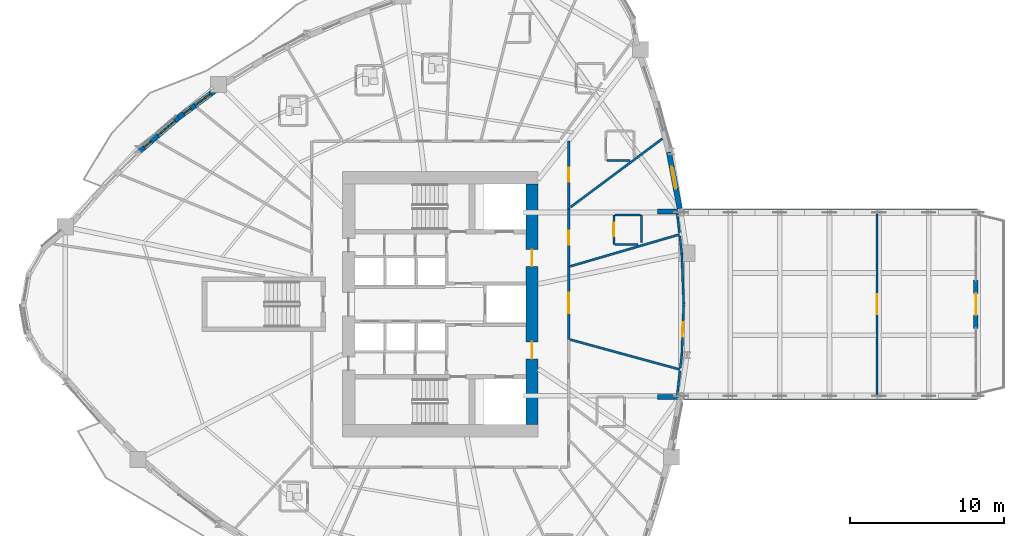
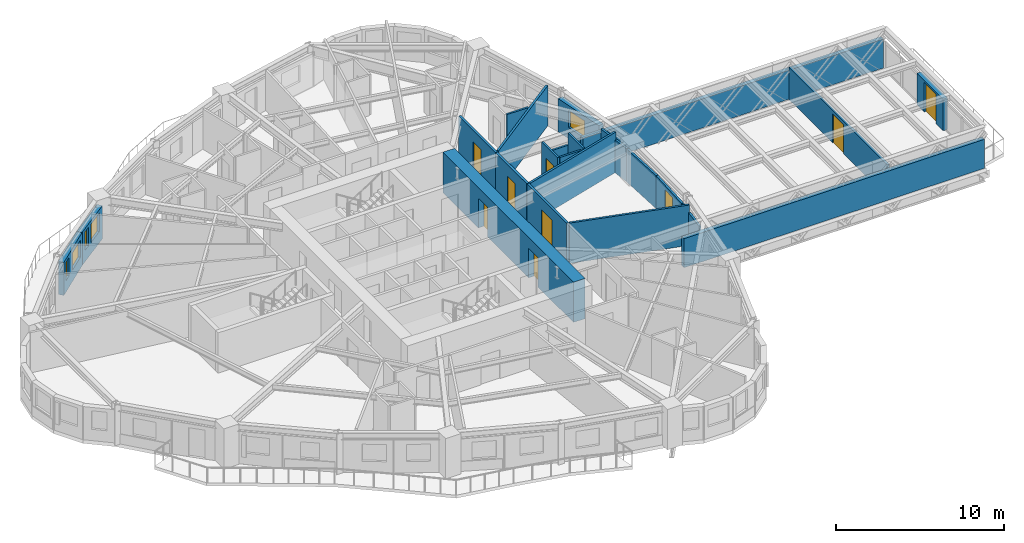
# One storey, part 10 of 18: 25 walls, 9 doors, 5 windows, 14 openings.
"""IFC4 building model written with IfcOpenShell, lengths in metres."""

from ifc_helpers import new_model, si_unit, direction, frame, frame_2d, origin, place, context, subcontext, project, spatial, rectangle, extrude, source, transform, mapped, material, layer, layer_set, type_object, element, fill, save


model = new_model("IFC4")

# Units and contexts
model_context = context("Model", 3, precision=1e-05, world=origin(), true_north=direction((0.0, 1.0)))
body_context = subcontext(model_context, "Body", "Model", "MODEL_VIEW")
ifc_project = project(units=[si_unit("LENGTHUNIT", "METRE"), si_unit("AREAUNIT", "SQUARE_METRE"), si_unit("VOLUMEUNIT", "CUBIC_METRE"), si_unit("PLANEANGLEUNIT", "RADIAN"), si_unit("MASSUNIT", "GRAM", prefix="KILO")], contexts=[model_context])

# Site, building, storey
site_placement = place(None, origin())
site = spatial("IfcSite", under=ifc_project, at=site_placement, CompositionType="ELEMENT")
building_placement = place(site_placement, origin())
building = spatial("IfcBuilding", under=site, at=building_placement, Name="Qafzar Sky-Pleat Residences", CompositionType="ELEMENT")
storey_placement = place(building_placement, frame((0.0, 0.0, 27.0)))
storey = spatial("IfcBuildingStorey", under=building, at=storey_placement, Name="L07", CompositionType="ELEMENT", Elevation=27.0)

# Wall, opening, door
ifc_material_1 = material(Name="Acoustic gypsum plasterboard partition", Category="gypsum")
ifc_layer_1 = layer(ifc_material_1, 0.159912109375)
ifc_layer_set_1 = layer_set([ifc_layer_1], Name="Acoustic gypsum plasterboard partition")
wall_type_1 = type_object("IfcWallType", Name="PART-COR-160", PredefinedType="PARTITIONING", material=ifc_layer_set_1)
wall_1_placement = place(storey_placement, frame((38.679931640625, 28.445068359375, 0.0), z_axis=(0.0, 0.0, 1.0), x_axis=(0.0, -1.0, 0.0)))
wall_1 = element("IfcWall", 1, at=wall_1_placement, inside=storey, type_object=wall_type_1, Name="L07 Partition Wall PART-L07-PW-004", PredefinedType="PARTITIONING", context=body_context, shape_type="SweptSolid", body=[
    extrude(rectangle(XDim=4.73095703125, YDim=0.159912109375, at=frame_2d((2.365478515625, 0.0))), origin(), (0.0, 0.0, 1.0), 2.93505859375),
])
opening_1_placement = place(wall_1_placement, frame((1.715576171875, 0.0, 0.0)))
opening_1 = element("IfcOpeningElement", 2, at=opening_1_placement, cuts=wall_1, Name="Opening ID-05", PredefinedType="OPENING", context=body_context, shape_type="SweptSolid", body=[
    extrude(rectangle(XDim=1.300048828125, YDim=2.10009765625, at=frame_2d((0.64990234375, 1.050048828125))), frame((0.0, 0.08984375, 0.0), z_axis=(0.0, -1.0, 0.0), x_axis=(1.0, 0.0, 0.0)), (0.0, 0.0, 1.0), 0.179931640625),
])
ifc_material_2 = material(Name="Timber-faced fire door", Category="wood")
door_type_1 = type_object("IfcDoorType", Name="DR-LNG-1300", OperationType="DOUBLE_DOOR_SINGLE_SWING", PredefinedType="DOOR", material=ifc_material_2)
shared_shape_1 = source(origin(), body_context, "Body", "SweptSolid", [
    extrude(rectangle(XDim=1.300048828125, YDim=2.10009765625, at=frame_2d((0.64990234375, 1.050048828125))), frame((0.0, 0.02490234375, 0.0), z_axis=(0.0, -1.0, 0.0), x_axis=(1.0, 0.0, 0.0)), (0.0, 0.0, 1.0), 0.050048828125),
])
door_1_placement = place(opening_1_placement, origin())
door_1 = element("IfcDoor", 3, at=door_1_placement, inside=storey, type_object=door_type_1, Name="L07 Co-Living Lounge Door", OperationType="DOUBLE_DOOR_SINGLE_SWING", OverallHeight=2.10009765625, OverallWidth=1.300048828125, PredefinedType="DOOR", context=body_context, shape_type="MappedRepresentation", body=[
    mapped(shared_shape_1, transform((0.0, 0.0, 0.0), x_axis=(1.0, 0.0, 0.0), y_axis=(0.0, 1.0, 0.0), z_axis=(0.0, 0.0, 1.0), scale=1.0)),
])
fill(opening_1, door_1)

wall_2_placement = place(storey_placement, frame((38.679931640625, 36.580078125, 0.0), z_axis=(0.0, 0.0, 1.0), x_axis=(0.0, -1.0, 0.0)))
wall_2 = element("IfcWall", 4, at=wall_2_placement, inside=storey, type_object=wall_type_1, Name="L07 Partition Wall PART-L07-PW-005", PredefinedType="PARTITIONING", context=body_context, shape_type="SweptSolid", body=[
    extrude(rectangle(XDim=4.39013671875, YDim=0.159912109375, at=frame_2d((2.195068359375, 0.0))), origin(), (0.0, 0.0, 1.0), 2.93505859375),
])
opening_2_placement = place(wall_2_placement, frame((1.7255859375, 0.0, 0.0)))
opening_2 = element("IfcOpeningElement", 5, at=opening_2_placement, cuts=wall_2, Name="Opening ID-04", PredefinedType="OPENING", context=body_context, shape_type="SweptSolid", body=[
    extrude(rectangle(XDim=0.919921875, YDim=2.10009765625, at=frame_2d((0.4599609375, 1.050048828125))), frame((0.0, 0.08984375, 0.0), z_axis=(0.0, -1.0, 0.0), x_axis=(1.0, 0.0, 0.0)), (0.0, 0.0, 1.0), 0.179931640625),
])
door_type_2 = type_object("IfcDoorType", Name="DR-BED-920", OperationType="NOTDEFINED", PredefinedType="DOOR", material=ifc_material_2)
shared_shape_2 = source(origin(), body_context, "Body", "SweptSolid", [
    extrude(rectangle(XDim=0.919921875, YDim=2.10009765625, at=frame_2d((0.4599609375, 1.050048828125))), frame((0.0, 0.02490234375, 0.0), z_axis=(0.0, -1.0, 0.0), x_axis=(1.0, 0.0, 0.0)), (0.0, 0.0, 1.0), 0.050048828125),
])
door_2_placement = place(opening_2_placement, origin())
door_2 = element("IfcDoor", 6, at=door_2_placement, inside=storey, type_object=door_type_2, Name="L07 Co-Living Bedroom 10 Door", OperationType="SINGLE_SWING_RIGHT", OverallHeight=2.10009765625, OverallWidth=0.919921875, PredefinedType="DOOR", context=body_context, shape_type="MappedRepresentation", body=[
    mapped(shared_shape_2, transform((0.0, 0.0, 0.0), x_axis=(1.0, 0.0, 0.0), y_axis=(0.0, 1.0, 0.0), z_axis=(0.0, 0.0, 1.0), scale=1.0)),
])
fill(opening_2, door_2)

wall_3_placement = place(storey_placement, frame((38.679931640625, 32.175048828125, 0.0), z_axis=(0.0, 0.0, 1.0), x_axis=(0.0, -1.0, 0.0)))
wall_3 = element("IfcWall", 7, at=wall_3_placement, inside=storey, type_object=wall_type_1, Name="L07 Partition Wall PART-L07-PW-010", PredefinedType="PARTITIONING", context=body_context, shape_type="SweptSolid", body=[
    extrude(rectangle(XDim=3.715087890625, YDim=0.159912109375, at=frame_2d((1.857421875, 0.0))), origin(), (0.0, 0.0, 1.0), 2.93505859375),
])
opening_3_placement = place(wall_3_placement, frame((1.39599609375, 0.0, 0.0)))
opening_3 = element("IfcOpeningElement", 8, at=opening_3_placement, cuts=wall_3, Name="Opening ID-04", PredefinedType="OPENING", context=body_context, shape_type="SweptSolid", body=[
    extrude(rectangle(XDim=0.919921875, YDim=2.10009765625, at=frame_2d((0.4599609375, 1.050048828125))), frame((0.0, 0.08984375, 0.0), z_axis=(0.0, -1.0, 0.0), x_axis=(1.0, 0.0, 0.0)), (0.0, 0.0, 1.0), 0.179931640625),
])
door_3_placement = place(opening_3_placement, origin())
door_3 = element("IfcDoor", 9, at=door_3_placement, inside=storey, type_object=door_type_2, Name="L07 Co-Living Bedroom 9 Door", OperationType="SINGLE_SWING_RIGHT", OverallHeight=2.10009765625, OverallWidth=0.919921875, PredefinedType="DOOR", context=body_context, shape_type="MappedRepresentation", body=[
    mapped(shared_shape_2, transform((0.0, 0.0, 0.0), x_axis=(1.0, 0.0, 0.0), y_axis=(0.0, 1.0, 0.0), z_axis=(0.0, 0.0, 1.0), scale=1.0)),
])
fill(opening_3, door_3)

ifc_layer_2 = layer(ifc_material_1, 0.14501953125)
ifc_layer_set_2 = layer_set([ifc_layer_2], Name="Acoustic gypsum plasterboard partition")
wall_type_2 = type_object("IfcWallType", Name="PART-UNIT-145", PredefinedType="PARTITIONING", material=ifc_layer_set_2)
wall_4_placement = place(storey_placement, frame((58.69091796875, 31.862060546875, 0.0), z_axis=(0.0, 0.0, 1.0), x_axis=(0.0, -1.0, 0.0)))
wall_4 = element("IfcWall", 10, at=wall_4_placement, inside=storey, type_object=wall_type_2, Name="L07 Partition Wall PART-L07-PW-001", PredefinedType="PARTITIONING", context=body_context, shape_type="SweptSolid", body=[
    extrude(rectangle(XDim=11.72412109375, YDim=0.14501953125, at=frame_2d((5.862060546875, 0.0))), origin(), (0.0, 0.0, 1.0), 2.35302734375),
])
opening_4_placement = place(wall_4_placement, frame((5.2119140625, 0.0, 0.0)))
opening_4 = element("IfcOpeningElement", 11, at=opening_4_placement, cuts=wall_4, Name="Opening ID-05", PredefinedType="OPENING", context=body_context, shape_type="SweptSolid", body=[
    extrude(rectangle(XDim=1.300048828125, YDim=2.10009765625, at=frame_2d((0.64990234375, 1.050048828125))), frame((0.0, 0.08251953125, 0.0), z_axis=(0.0, -1.0, 0.0), x_axis=(1.0, 0.0, 0.0)), (0.0, 0.0, 1.0), 0.1650390625),
])
door_4_placement = place(opening_4_placement, origin())
door_4 = element("IfcDoor", 12, at=door_4_placement, inside=storey, type_object=door_type_1, Name="L07 Panorama Sky Lounge Door", OperationType="DOUBLE_DOOR_SINGLE_SWING", OverallHeight=2.10009765625, OverallWidth=1.300048828125, PredefinedType="DOOR", context=body_context, shape_type="MappedRepresentation", body=[
    mapped(shared_shape_1, transform((0.0, 0.0, 0.0), x_axis=(1.0, 0.0, 0.0), y_axis=(0.0, 1.0, 0.0), z_axis=(0.0, 0.0, 1.0), scale=1.0)),
])
fill(opening_4, door_4)

wall_5_placement = place(storey_placement, frame((46.1455078125, 25.985107421875, 0.0), z_axis=(0.0, 0.0, 1.0), x_axis=(-0.038094618751, -0.999274136572, 0.0)))
wall_5 = element("IfcWall", 13, at=wall_5_placement, inside=storey, type_object=wall_type_2, Name="L07 Partition Wall PART-L07-PW-012", PredefinedType="PARTITIONING", context=body_context, shape_type="SweptSolid", body=[
    extrude(rectangle(XDim=3.2685546875, YDim=0.14501953125, at=frame_2d((1.63427734375, 0.0))), origin(), (0.0, 0.0, 1.0), 2.403076171875),
])
opening_5_placement = place(wall_5_placement, frame((1.146728515625, 0.0, 0.0)))
opening_5 = element("IfcOpeningElement", 14, at=opening_5_placement, cuts=wall_5, Name="Opening ID-06", PredefinedType="OPENING", context=body_context, shape_type="SweptSolid", body=[
    extrude(rectangle(XDim=0.9599609375, YDim=2.10009765625, at=frame_2d((0.47998046875, 1.050048828125))), frame((0.0, 0.08251953125, 0.0), z_axis=(0.0, -1.0, 0.0), x_axis=(1.0, 0.0, 0.0)), (0.0, 0.0, 1.0), 0.1650390625),
])
door_type_3 = type_object("IfcDoorType", Name="DR-STD-960", OperationType="NOTDEFINED", PredefinedType="DOOR", material=ifc_material_2)
shared_shape_3 = source(origin(), body_context, "Body", "SweptSolid", [
    extrude(rectangle(XDim=0.9599609375, YDim=2.10009765625, at=frame_2d((0.47998046875, 1.050048828125))), frame((0.0, 0.02490234375, 0.0), z_axis=(0.0, -1.0, 0.0), x_axis=(1.0, 0.0, 0.0)), (0.0, 0.0, 1.0), 0.050048828125),
])
door_5_placement = place(opening_5_placement, origin())
door_5 = element("IfcDoor", 15, at=door_5_placement, inside=storey, type_object=door_type_3, Name="L07 Sky-Bar Reading Library Door", OperationType="SINGLE_SWING_RIGHT", OverallHeight=2.10009765625, OverallWidth=0.9599609375, PredefinedType="DOOR", context=body_context, shape_type="MappedRepresentation", body=[
    mapped(shared_shape_3, transform((0.0, 0.0, 0.0), x_axis=(1.0, 0.0, 0.0), y_axis=(0.0, 1.0, 0.0), z_axis=(0.0, 0.0, 1.0), scale=1.0)),
])
fill(opening_5, door_5)

# Walls
wall_6_placement = place(storey_placement, frame((38.809814453125, 32.3056640625, 0.0), z_axis=(0.0, 0.0, 1.0), x_axis=(0.801799720797, 0.597592844443, 0.0)))
element("IfcWall", 16, at=wall_6_placement, inside=storey, type_object=wall_type_2, Name="L07 Partition Wall PART-L07-PW-041", PredefinedType="PARTITIONING", context=body_context, shape_type="SweptSolid", body=[
    extrude(rectangle(XDim=7.42431640625, YDim=0.14501953125, at=frame_2d((3.712158203125, 0.0))), origin(), (0.0, 0.0, 1.0), 2.93505859375),
])
wall_7_placement = place(storey_placement, frame((38.7880859375, 28.46044921875, 0.0), z_axis=(0.0, 0.0, 1.0), x_axis=(0.959983709987, 0.280055845432, 0.0)))
element("IfcWall", 17, at=wall_7_placement, inside=storey, type_object=wall_type_2, Name="L07 Partition Wall PART-L07-PW-042", PredefinedType="PARTITIONING", context=body_context, shape_type="SweptSolid", body=[
    extrude(rectangle(XDim=7.386474609375, YDim=0.14501953125, at=frame_2d((3.693359375, 0.0))), origin(), (0.0, 0.0, 1.0), 2.93505859375),
])
wall_8_placement = place(storey_placement, frame((38.786865234375, 23.700927734375, 0.0), z_axis=(0.0, 0.0, 1.0), x_axis=(0.964810342249, -0.262946769308, 0.0)))
element("IfcWall", 18, at=wall_8_placement, inside=storey, type_object=wall_type_2, Name="L07 Partition Wall PART-L07-PW-043", PredefinedType="PARTITIONING", context=body_context, shape_type="SweptSolid", body=[
    extrude(rectangle(XDim=7.385009765625, YDim=0.14501953125, at=frame_2d((3.6923828125, 0.0))), origin(), (0.0, 0.0, 1.0), 2.93505859375),
])
wall_9_placement = place(storey_placement, frame((46.02099609375, 29.281005859375, 0.0), z_axis=(0.0, 0.0, 1.0), x_axis=(0.038070453861, -0.999275057501, 0.0)))
element("IfcWall", 19, at=wall_9_placement, inside=storey, type_object=wall_type_2, Name="L07 Partition Wall PART-L07-PW-056", PredefinedType="PARTITIONING", context=body_context, shape_type="SweptSolid", body=[
    extrude(rectangle(XDim=3.283447265625, YDim=0.14501953125, at=frame_2d((1.6416015625, 0.0))), origin(), (0.0, 0.0, 1.0), 2.403076171875),
])
wall_10_placement = place(storey_placement, frame((45.728515625, 20.14599609375, 0.0), z_axis=(0.0, 0.0, 1.0), x_axis=(0.113074294354, 0.993586535716, 0.0)))
element("IfcWall", 20, at=wall_10_placement, inside=storey, type_object=wall_type_2, Name="L07 Partition Wall PART-L07-PW-087", PredefinedType="PARTITIONING", context=body_context, shape_type="SweptSolid", body=[
    extrude(rectangle(XDim=1.53076171875, YDim=0.14501953125, at=frame_2d((0.765380859375, 0.0))), origin(), (0.0, 0.0, 1.0), 2.403076171875),
])
wall_11_placement = place(storey_placement, frame((45.8896484375, 30.435546875, 0.0), z_axis=(0.0, 0.0, 1.0), x_axis=(0.113024308153, -0.993592223081, 0.0)))
element("IfcWall", 21, at=wall_11_placement, inside=storey, type_object=wall_type_2, Name="L07 Partition Wall PART-L07-PW-089", PredefinedType="PARTITIONING", context=body_context, shape_type="SweptSolid", body=[
    extrude(rectangle(XDim=1.14697265625, YDim=0.14501953125, at=frame_2d((0.573486328125, 0.0))), origin(), (0.0, 0.0, 1.0), 2.403076171875),
])
wall_12_placement = place(storey_placement, frame((45.728515625, 31.85400390625, 0.0), z_axis=(0.0, 0.0, 1.0), x_axis=(0.112860473391, -0.993610846129, 0.0)))
element("IfcWall", 22, at=wall_12_placement, inside=storey, type_object=wall_type_2, Name="L07 Partition Wall PART-L07-PW-090", PredefinedType="PARTITIONING", context=body_context, shape_type="SweptSolid", body=[
    extrude(rectangle(XDim=1.224365234375, YDim=0.14501953125, at=frame_2d((0.6123046875, 0.0))), origin(), (0.0, 0.0, 1.0), 2.403076171875),
])
wall_13_placement = place(storey_placement, frame((45.924072265625, 21.86572265625, 0.0), z_axis=(0.0, 0.0, 1.0), x_axis=(0.112844765803, 0.993612630169, 0.0)))
element("IfcWall", 23, at=wall_13_placement, inside=storey, type_object=wall_type_2, Name="L07 Partition Wall PART-L07-PW-096", PredefinedType="PARTITIONING", context=body_context, shape_type="SweptSolid", body=[
    extrude(rectangle(XDim=0.84375, YDim=0.14501953125, at=frame_2d((0.421875, 0.0))), origin(), (0.0, 0.0, 1.0), 2.403076171875),
])

# Wall, opening, door
ifc_material_3 = material(Name="Moisture-resistant gypsum partition", Category="gypsum")
ifc_layer_3 = layer(ifc_material_3, 0.1298828125)
ifc_layer_set_3 = layer_set([ifc_layer_3], Name="Moisture-resistant gypsum partition")
wall_type_3 = type_object("IfcWallType", Name="PART-WET-130", PredefinedType="PARTITIONING", material=ifc_layer_set_3)
wall_14_placement = place(storey_placement, frame((41.611083984375, 31.7880859375, 0.0), z_axis=(0.0, 0.0, 1.0), x_axis=(0.0, -1.0, 0.0)))
wall_14 = element("IfcWall", 24, at=wall_14_placement, inside=storey, type_object=wall_type_3, Name="L07 Partition Wall PART-L07-PW-026", PredefinedType="PARTITIONING", context=body_context, shape_type="SweptSolid", body=[
    extrude(rectangle(XDim=1.900146484375, YDim=0.1298828125, at=frame_2d((0.9501953125, 0.0))), origin(), (0.0, 0.0, 1.0), 2.93505859375),
])
opening_6_placement = place(wall_14_placement, frame((0.510009765625, 0.0, 0.0)))
opening_6 = element("IfcOpeningElement", 25, at=opening_6_placement, cuts=wall_14, Name="Opening ID-07", PredefinedType="OPENING", context=body_context, shape_type="SweptSolid", body=[
    extrude(rectangle(XDim=0.8798828125, YDim=2.050048828125, at=frame_2d((0.43994140625, 1.02490234375))), frame((0.0, 0.074951171875, 0.0), z_axis=(0.0, -1.0, 0.0), x_axis=(1.0, 0.0, 0.0)), (0.0, 0.0, 1.0), 0.14990234375),
])
door_type_4 = type_object("IfcDoorType", Name="DR-WET-880", OperationType="NOTDEFINED", PredefinedType="DOOR", material=ifc_material_2)
shared_shape_4 = source(origin(), body_context, "Body", "SweptSolid", [
    extrude(rectangle(XDim=0.8798828125, YDim=2.050048828125, at=frame_2d((0.43994140625, 1.02490234375))), frame((0.0, 0.02490234375, 0.0), z_axis=(0.0, -1.0, 0.0), x_axis=(1.0, 0.0, 0.0)), (0.0, 0.0, 1.0), 0.050048828125),
])
door_6_placement = place(opening_6_placement, origin())
door_6 = element("IfcDoor", 26, at=door_6_placement, inside=storey, type_object=door_type_4, Name="L07 En-suite Bathroom 9 Door", OperationType="SINGLE_SWING_RIGHT", OverallHeight=2.050048828125, OverallWidth=0.8798828125, PredefinedType="DOOR", context=body_context, shape_type="MappedRepresentation", body=[
    mapped(shared_shape_4, transform((0.0, 0.0, 0.0), x_axis=(1.0, 0.0, 0.0), y_axis=(0.0, 1.0, 0.0), z_axis=(0.0, 0.0, 1.0), scale=1.0)),
])
fill(opening_6, door_6)

# Walls
wall_15_placement = place(storey_placement, frame((43.410888671875, 29.990478515625, 0.0), z_axis=(0.0, 0.0, 1.0), x_axis=(0.0, 1.0, 0.0)))
element("IfcWall", 27, at=wall_15_placement, inside=storey, type_object=wall_type_3, Name="L07 Partition Wall PART-L07-PW-064", PredefinedType="PARTITIONING", context=body_context, shape_type="SweptSolid", body=[
    extrude(rectangle(XDim=1.797607421875, YDim=0.1298828125, at=frame_2d((0.89892578125, 0.0))), origin(), (0.0, 0.0, 1.0), 2.93505859375),
])
wall_16_placement = place(storey_placement, frame((41.68408203125, 31.7880859375, 0.0), z_axis=(0.0, 0.0, 1.0), x_axis=(1.0, 0.0, 0.0)))
element("IfcWall", 28, at=wall_16_placement, inside=storey, type_object=wall_type_3, Name="L07 Partition Wall PART-L07-PW-068", PredefinedType="PARTITIONING", context=body_context, shape_type="SweptSolid", body=[
    extrude(rectangle(XDim=1.65380859375, YDim=0.1298828125, at=frame_2d((0.826904296875, 0.0))), origin(), (0.0, 0.0, 1.0), 2.10302734375),
])
wall_17_placement = place(storey_placement, frame((41.68408203125, 29.887939453125, 0.0), z_axis=(0.0, 0.0, 1.0), x_axis=(1.0, 0.0, 0.0)))
element("IfcWall", 29, at=wall_17_placement, inside=storey, type_object=wall_type_3, Name="L07 Partition Wall PART-L07-PW-069", PredefinedType="PARTITIONING", context=body_context, shape_type="SweptSolid", body=[
    extrude(rectangle(XDim=1.48681640625, YDim=0.1298828125, at=frame_2d((0.743408203125, 0.0))), origin(), (0.0, 0.0, 1.0), 2.93505859375),
])
wall_18_placement = place(storey_placement, frame((41.178955078125, 35.3330078125, 0.0), z_axis=(0.0, 0.0, 1.0), x_axis=(1.0, 0.0, 0.0)))
element("IfcWall", 30, at=wall_18_placement, inside=storey, type_object=wall_type_3, Name="L07 Partition Wall PART-L07-PW-080", PredefinedType="PARTITIONING", context=body_context, shape_type="SweptSolid", body=[
    extrude(rectangle(XDim=1.4755859375, YDim=0.1298828125, at=frame_2d((0.73779296875, 0.0))), origin(), (0.0, 0.0, 1.0), 2.93505859375),
])
ifc_material_4 = material(Name="Precast concrete C40/50 with honed Riyadh limestone", Category="concrete")
ifc_layer_4 = layer(ifc_material_4, 0.300048828125)
ifc_layer_set_4 = layer_set([ifc_layer_4], Name="Precast concrete C40/50 with honed Riyadh limestone")
wall_type_4 = type_object("IfcWallType", Name="WALL-EXT-300", PredefinedType="SOLIDWALL", material=ifc_layer_set_4)
for number, where, z_axis, x_axis, name in (
    (31, (44.449951171875, 32.02001953125, 0.0), (0.0, 0.0, 1.0), (1.0, 0.0, 0.0), "L07 SB-1 Side Spandrel Wall L"),
    (32, (44.449951171875, 19.97998046875, 0.0), (0.0, 0.0, 1.0), (1.0, 0.0, 0.0), "L07 SB-1 Side Spandrel Wall R"),
):
    element("IfcWall", number, at=place(storey_placement, frame(where, z_axis=z_axis, x_axis=x_axis)), inside=storey, type_object=wall_type_4, Name=name, PredefinedType="SOLIDWALL", context=body_context, shape_type="SweptSolid", body=[
        extrude(rectangle(XDim=20.6845703125, YDim=0.300048828125, at=frame_2d((10.34228515625, 0.0))), origin(), (0.0, 0.0, 1.0), 2.114990234375),
    ])

# Wall, opening, door
wall_19_placement = place(storey_placement, frame((65.1044921875, 27.56005859375, 0.0), z_axis=(0.0, 0.0, 1.0), x_axis=(0.0, -1.0, 0.0)))
wall_19 = element("IfcWall", 33, at=wall_19_placement, inside=storey, type_object=wall_type_4, Name="L07 SB-1 Prow Portal Wall", PredefinedType="SOLIDWALL", context=body_context, shape_type="SweptSolid", body=[
    extrude(rectangle(XDim=3.1201171875, YDim=0.300048828125, at=frame_2d((1.56005859375, 0.0))), origin(), (0.0, 0.0, 1.0), 2.300048828125),
])
opening_7_placement = place(wall_19_placement, frame((0.860107421875, 0.0, 0.0)))
opening_7 = element("IfcOpeningElement", 34, at=opening_7_placement, cuts=wall_19, Name="Opening ED-07", PredefinedType="OPENING", context=body_context, shape_type="SweptSolid", body=[
    extrude(rectangle(XDim=1.39990234375, YDim=2.14990234375, at=frame_2d((0.699951171875, 1.074951171875))), frame((0.0, 0.16015625, 0.0), z_axis=(0.0, -1.0, 0.0), x_axis=(1.0, 0.0, 0.0)), (0.0, 0.0, 1.0), 0.320068359375),
])
ifc_material_5 = material(Name="Glazed bronze aluminium door", Category="aluminium")
door_type_5 = type_object("IfcDoorType", Name="DR-SB-1400", OperationType="DOUBLE_DOOR_SINGLE_SWING", PredefinedType="DOOR", material=ifc_material_5)
shared_shape_5 = source(origin(), body_context, "Body", "SweptSolid", [
    extrude(rectangle(XDim=1.39990234375, YDim=2.14990234375, at=frame_2d((0.699951171875, 1.074951171875))), frame((0.0, 0.02490234375, 0.0), z_axis=(0.0, -1.0, 0.0), x_axis=(1.0, 0.0, 0.0)), (0.0, 0.0, 1.0), 0.050048828125),
])
door_7_placement = place(opening_7_placement, origin())
door_7 = element("IfcDoor", 35, at=door_7_placement, inside=storey, type_object=door_type_5, Name="L07 SB-1 Tip Balcony Glazed Door", OperationType="DOUBLE_DOOR_SINGLE_SWING", OverallHeight=2.14990234375, OverallWidth=1.39990234375, PredefinedType="DOOR", context=body_context, shape_type="MappedRepresentation", body=[
    mapped(shared_shape_5, transform((0.0, 0.0, 0.0), x_axis=(1.0, 0.0, 0.0), y_axis=(0.0, 1.0, 0.0), z_axis=(0.0, 0.0, 1.0), scale=1.0)),
])
fill(opening_7, door_7)

# Wall, opening, window
ifc_layer_5 = layer(ifc_material_4, 0.35009765625)
ifc_layer_set_5 = layer_set([ifc_layer_5], Name="Precast concrete C40/50 with honed Riyadh limestone")
wall_type_5 = type_object("IfcWallType", Name="WALL-EXT-350", PredefinedType="SOLIDWALL", material=ifc_layer_set_5)
wall_20_placement = place(storey_placement, frame((45.882568359375, 32.20703125, 0.0), z_axis=(0.0, 0.0, 1.0), x_axis=(-0.186693533797, 0.982418202416, 0.0)))
wall_20 = element("IfcWall", 36, at=wall_20_placement, inside=storey, type_object=wall_type_5, Name="L07 Limestone Facade Wall 30", PredefinedType="SOLIDWALL", context=body_context, shape_type="SweptSolid", body=[
    extrude(rectangle(XDim=3.7255859375, YDim=0.35009765625, at=frame_2d((1.86279296875, 0.0))), origin(), (0.0, 0.0, 1.0), 2.4150390625),
])
opening_8_placement = place(wall_20_placement, frame((1.312744140625, 0.0, 0.820068359375)))
opening_8 = element("IfcOpeningElement", 37, at=opening_8_placement, cuts=wall_20, Name="Opening WN-15", PredefinedType="OPENING", context=body_context, shape_type="SweptSolid", body=[
    extrude(rectangle(XDim=1.449951171875, YDim=1.25, at=frame_2d((0.72509765625, 0.625))), frame((0.0, 0.18505859375, 0.0), z_axis=(0.0, -1.0, 0.0), x_axis=(1.0, 0.0, 0.0)), (0.0, 0.0, 1.0), 0.3701171875),
])
ifc_material_6 = material(Name="Solar-control low-E glass in bronze aluminium frame", Category="glass")
window_type_1 = type_object("IfcWindowType", Name="WIN-15", PartitioningType="SINGLE_PANEL", PredefinedType="WINDOW", material=ifc_material_6)
shared_shape_6 = source(origin(), body_context, "Body", "SweptSolid", [
    extrude(rectangle(XDim=1.449951171875, YDim=1.25, at=frame_2d((0.72509765625, 0.625))), frame((0.0, 0.030029296875, 0.0), z_axis=(0.0, -1.0, 0.0), x_axis=(1.0, 0.0, 0.0)), (0.0, 0.0, 1.0), 0.06005859375),
])
window_1_placement = place(opening_8_placement, origin())
window_1 = element("IfcWindow", 38, at=window_1_placement, inside=storey, type_object=window_type_1, Name="L07 Punched Facade Window 30", OverallHeight=1.25, OverallWidth=1.449951171875, PartitioningType="SINGLE_PANEL", PredefinedType="WINDOW", context=body_context, shape_type="MappedRepresentation", body=[
    mapped(shared_shape_6, transform((0.0, 0.0, 0.0), x_axis=(1.0, 0.0, 0.0), y_axis=(0.0, 1.0, 0.0), z_axis=(0.0, 0.0, 1.0), scale=1.0)),
])
fill(opening_8, window_1)

# Wall, openings, windows
wall_21_placement = place(storey_placement, frame((15.819091796875, 39.92822265625, 0.0), z_axis=(0.0, 0.0, 1.0), x_axis=(-0.803825144674, -0.594865645999, 0.0)))
wall_21 = element("IfcWall", 39, at=wall_21_placement, inside=storey, type_object=wall_type_5, Name="L07 Limestone Facade Wall 45", PredefinedType="SOLIDWALL", context=body_context, shape_type="SweptSolid", body=[
    extrude(rectangle(XDim=3.065673828125, YDim=0.35009765625, at=frame_2d((1.53271484375, 0.0))), origin(), (0.0, 0.0, 1.0), 2.4150390625),
])
opening_9_placement = place(wall_21_placement, frame((0.46875, 0.0, 0.820068359375)))
opening_9 = element("IfcOpeningElement", 40, at=opening_9_placement, cuts=wall_21, Name="Opening WN-11", PredefinedType="OPENING", context=body_context, shape_type="SweptSolid", body=[
    extrude(rectangle(XDim=1.25, YDim=1.35009765625, at=frame_2d((0.625, 0.675048828125))), frame((0.0, 0.18505859375, 0.0), z_axis=(0.0, -1.0, 0.0), x_axis=(1.0, 0.0, 0.0)), (0.0, 0.0, 1.0), 0.3701171875),
])
opening_10_placement = place(wall_21_placement, frame((2.0615234375, 0.0, 0.820068359375)))
opening_10 = element("IfcOpeningElement", 41, at=opening_10_placement, cuts=wall_21, Name="Opening WN-17", PredefinedType="OPENING", context=body_context, shape_type="SweptSolid", body=[
    extrude(rectangle(XDim=0.580078125, YDim=1.35009765625, at=frame_2d((0.2900390625, 0.675048828125))), frame((0.0, 0.18505859375, 0.0), z_axis=(0.0, -1.0, 0.0), x_axis=(1.0, 0.0, 0.0)), (0.0, 0.0, 1.0), 0.3701171875),
])
window_type_2 = type_object("IfcWindowType", Name="WIN-17", PartitioningType="SINGLE_PANEL", PredefinedType="WINDOW", material=ifc_material_6)
shared_shape_7 = source(origin(), body_context, "Body", "SweptSolid", [
    extrude(rectangle(XDim=0.580078125, YDim=1.35009765625, at=frame_2d((0.2900390625, 0.675048828125))), frame((0.0, 0.030029296875, 0.0), z_axis=(0.0, -1.0, 0.0), x_axis=(1.0, 0.0, 0.0)), (0.0, 0.0, 1.0), 0.06005859375),
])
window_2_placement = place(opening_10_placement, origin())
window_2 = element("IfcWindow", 42, at=window_2_placement, inside=storey, type_object=window_type_2, Name="L07 Punched Facade Window 45-2", OverallHeight=1.35009765625, OverallWidth=0.580078125, PartitioningType="SINGLE_PANEL", PredefinedType="WINDOW", context=body_context, shape_type="MappedRepresentation", body=[
    mapped(shared_shape_7, transform((0.0, 0.0, 0.0), x_axis=(1.0, 0.0, 0.0), y_axis=(0.0, 1.0, 0.0), z_axis=(0.0, 0.0, 1.0), scale=1.0)),
])
fill(opening_10, window_2)
window_type_3 = type_object("IfcWindowType", Name="WIN-11", PartitioningType="SINGLE_PANEL", PredefinedType="WINDOW", material=ifc_material_6)
shared_shape_8 = source(origin(), body_context, "Body", "SweptSolid", [
    extrude(rectangle(XDim=1.25, YDim=1.35009765625, at=frame_2d((0.625, 0.675048828125))), frame((0.0, 0.030029296875, 0.0), z_axis=(0.0, -1.0, 0.0), x_axis=(1.0, 0.0, 0.0)), (0.0, 0.0, 1.0), 0.06005859375),
])
window_3_placement = place(opening_9_placement, origin())
window_3 = element("IfcWindow", 43, at=window_3_placement, inside=storey, type_object=window_type_3, Name="L07 Punched Facade Window 45", OverallHeight=1.35009765625, OverallWidth=1.25, PartitioningType="SINGLE_PANEL", PredefinedType="WINDOW", context=body_context, shape_type="MappedRepresentation", body=[
    mapped(shared_shape_8, transform((0.0, 0.0, 0.0), x_axis=(1.0, 0.0, 0.0), y_axis=(0.0, 1.0, 0.0), z_axis=(0.0, 0.0, 1.0), scale=1.0)),
])
fill(opening_9, window_3)

wall_22_placement = place(storey_placement, frame((13.42431640625, 38.159912109375, 0.0), z_axis=(0.0, 0.0, 1.0), x_axis=(-0.757512075852, -0.652821150805, 0.0)))
wall_22 = element("IfcWall", 44, at=wall_22_placement, inside=storey, type_object=wall_type_5, Name="L07 Limestone Facade Wall 46", PredefinedType="SOLIDWALL", context=body_context, shape_type="SweptSolid", body=[
    extrude(rectangle(XDim=3.3837890625, YDim=0.35009765625, at=frame_2d((1.69189453125, 0.0))), origin(), (0.0, 0.0, 1.0), 2.4150390625),
])
opening_11_placement = place(wall_22_placement, frame((0.3916015625, 0.0, 0.820068359375)))
opening_11 = element("IfcOpeningElement", 45, at=opening_11_placement, cuts=wall_22, Name="Opening WN-15", PredefinedType="OPENING", context=body_context, shape_type="SweptSolid", body=[
    extrude(rectangle(XDim=1.449951171875, YDim=1.25, at=frame_2d((0.72509765625, 0.625))), frame((0.0, 0.18505859375, 0.0), z_axis=(0.0, -1.0, 0.0), x_axis=(1.0, 0.0, 0.0)), (0.0, 0.0, 1.0), 0.3701171875),
])
opening_12_placement = place(wall_22_placement, frame((2.44873046875, 0.0, 0.820068359375)))
opening_12 = element("IfcOpeningElement", 46, at=opening_12_placement, cuts=wall_22, Name="Opening WN-17", PredefinedType="OPENING", context=body_context, shape_type="SweptSolid", body=[
    extrude(rectangle(XDim=0.580078125, YDim=1.35009765625, at=frame_2d((0.2900390625, 0.675048828125))), frame((0.0, 0.18505859375, 0.0), z_axis=(0.0, -1.0, 0.0), x_axis=(1.0, 0.0, 0.0)), (0.0, 0.0, 1.0), 0.3701171875),
])
window_4_placement = place(opening_11_placement, origin())
window_4 = element("IfcWindow", 47, at=window_4_placement, inside=storey, type_object=window_type_1, Name="L07 Punched Facade Window 46", OverallHeight=1.25, OverallWidth=1.449951171875, PartitioningType="SINGLE_PANEL", PredefinedType="WINDOW", context=body_context, shape_type="MappedRepresentation", body=[
    mapped(shared_shape_6, transform((0.0, 0.0, 0.0), x_axis=(1.0, 0.0, 0.0), y_axis=(0.0, 1.0, 0.0), z_axis=(0.0, 0.0, 1.0), scale=1.0)),
])
fill(opening_11, window_4)
window_5_placement = place(opening_12_placement, origin())
window_5 = element("IfcWindow", 48, at=window_5_placement, inside=storey, type_object=window_type_2, Name="L07 Punched Facade Window 46-2", OverallHeight=1.35009765625, OverallWidth=0.580078125, PartitioningType="SINGLE_PANEL", PredefinedType="WINDOW", context=body_context, shape_type="MappedRepresentation", body=[
    mapped(shared_shape_7, transform((0.0, 0.0, 0.0), x_axis=(1.0, 0.0, 0.0), y_axis=(0.0, 1.0, 0.0), z_axis=(0.0, 0.0, 1.0), scale=1.0)),
])
fill(opening_12, window_5)

# Wall, openings, doors
ifc_material_7 = material(Name="Concrete C60/75", Category="concrete")
ifc_layer_6 = layer(ifc_material_7, 0.800048828125)
ifc_layer_set_6 = layer_set([ifc_layer_6], Name="Concrete C60/75")
wall_type_6 = type_object("IfcWallType", Name="WALL-SHEAR-800", PredefinedType="SHEAR", material=ifc_layer_set_6)
wall_23_placement = place(storey_placement, frame((36.300048828125, 18.199951171875, 0.0), z_axis=(0.0, 0.0, 1.0), x_axis=(0.0, 1.0, 0.0)))
wall_23 = element("IfcWall", 49, at=wall_23_placement, inside=storey, type_object=wall_type_6, Name="L07 CORE wall E", PredefinedType="SHEAR", context=body_context, shape_type="SweptSolid", body=[
    extrude(rectangle(XDim=15.60009765625, YDim=0.800048828125, at=frame_2d((7.800048828125, 0.0))), origin(), (0.0, 0.0, 1.0), 2.93505859375),
])
opening_13_placement = place(wall_23_placement, frame((4.25, 0.0, 0.0)))
opening_13 = element("IfcOpeningElement", 50, at=opening_13_placement, cuts=wall_23, Name="Opening ID-02", PredefinedType="OPENING", context=body_context, shape_type="SweptSolid", body=[
    extrude(rectangle(XDim=1.10009765625, YDim=2.14990234375, at=frame_2d((0.550048828125, 1.074951171875))), frame((0.0, 0.41015625, 0.0), z_axis=(0.0, -1.0, 0.0), x_axis=(1.0, 0.0, 0.0)), (0.0, 0.0, 1.0), 0.820068359375),
])
opening_14_placement = place(wall_23_placement, frame((10.25, 0.0, 0.0)))
opening_14 = element("IfcOpeningElement", 51, at=opening_14_placement, cuts=wall_23, Name="Opening ID-02", PredefinedType="OPENING", context=body_context, shape_type="SweptSolid", body=[
    extrude(rectangle(XDim=1.10009765625, YDim=2.14990234375, at=frame_2d((0.550048828125, 1.074951171875))), frame((0.0, 0.41015625, 0.0), z_axis=(0.0, -1.0, 0.0), x_axis=(1.0, 0.0, 0.0)), (0.0, 0.0, 1.0), 0.820068359375),
])
door_type_6 = type_object("IfcDoorType", Name="DR-FFL-1100", OperationType="NOTDEFINED", PredefinedType="DOOR", material=ifc_material_2)
shared_shape_9 = source(origin(), body_context, "Body", "SweptSolid", [
    extrude(rectangle(XDim=1.10009765625, YDim=2.14990234375, at=frame_2d((0.550048828125, 1.074951171875))), frame((0.0, 0.02490234375, 0.0), z_axis=(0.0, -1.0, 0.0), x_axis=(1.0, 0.0, 0.0)), (0.0, 0.0, 1.0), 0.050048828125),
])
door_8_placement = place(opening_13_placement, origin())
door_8 = element("IfcDoor", 52, at=door_8_placement, inside=storey, type_object=door_type_6, Name="L07 Firefighting Lobby South Corridor Door", OperationType="SINGLE_SWING_RIGHT", OverallHeight=2.14990234375, OverallWidth=1.10009765625, PredefinedType="DOOR", context=body_context, shape_type="MappedRepresentation", body=[
    mapped(shared_shape_9, transform((0.0, 0.0, 0.0), x_axis=(1.0, 0.0, 0.0), y_axis=(0.0, 1.0, 0.0), z_axis=(0.0, 0.0, 1.0), scale=1.0)),
])
fill(opening_13, door_8)
door_9_placement = place(opening_14_placement, origin())
door_9 = element("IfcDoor", 53, at=door_9_placement, inside=storey, type_object=door_type_6, Name="L07 Firefighting Lobby North Corridor Door", OperationType="SINGLE_SWING_LEFT", OverallHeight=2.14990234375, OverallWidth=1.10009765625, PredefinedType="DOOR", context=body_context, shape_type="MappedRepresentation", body=[
    mapped(shared_shape_9, transform((0.0, 0.0, 0.0), x_axis=(1.0, 0.0, 0.0), y_axis=(0.0, 1.0, 0.0), z_axis=(0.0, 0.0, 1.0), scale=1.0)),
])
fill(opening_14, door_9)

save(model, "model.ifc")
